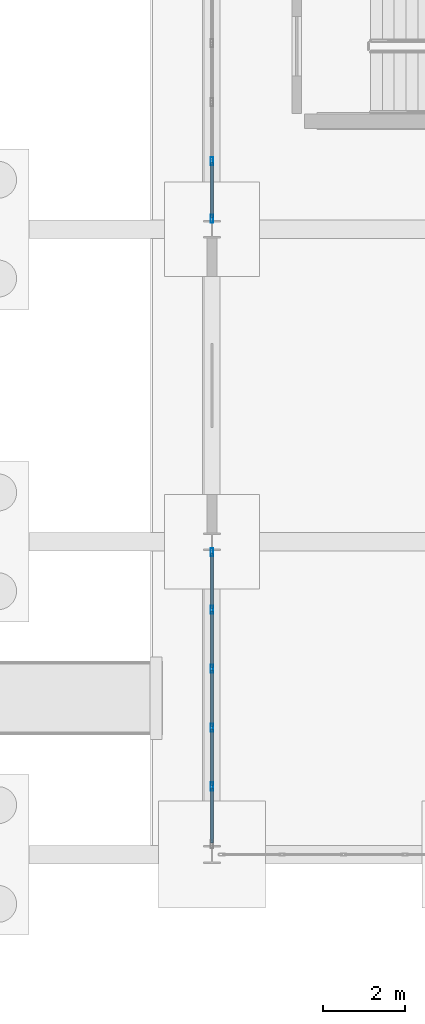
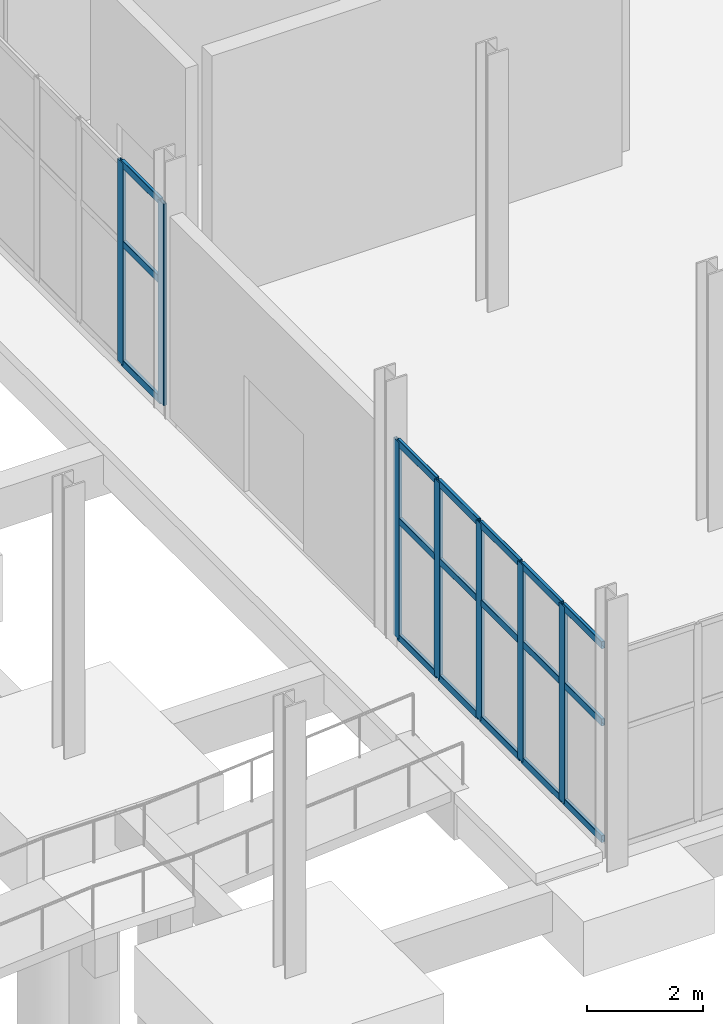
# One storey, part 31 of 95: 25 members, 2 elements without a shape of their own.
"""IFC4 building model written with IfcOpenShell, lengths in metres."""

from ifc_helpers import new_model, si_unit, direction, frame, origin, origin_2d, place, context, subcontext, project, spatial, hollow_rectangle, extrude, material, material_profile, profile_set, type_object, element, aggregate, save


model = new_model("IFC4")

# Units and contexts
model_context = context("Model", 3, precision=1e-05, world=origin(), true_north=direction((0.0, 1.0)))
body_context = subcontext(model_context, "Body", "Model", "MODEL_VIEW")
ifc_project = project(units=[si_unit("LENGTHUNIT", "METRE"), si_unit("AREAUNIT", "SQUARE_METRE"), si_unit("VOLUMEUNIT", "CUBIC_METRE"), si_unit("PLANEANGLEUNIT", "RADIAN"), si_unit("MASSUNIT", "GRAM", prefix="KILO")], contexts=[model_context])

# Site, building, storey
site_placement = place(None, origin())
site = spatial("IfcSite", under=ifc_project, at=site_placement, CompositionType="ELEMENT")
building_placement = place(site_placement, origin())
building = spatial("IfcBuilding", under=site, at=building_placement, Name="Shengluoqiao Park Theatre", CompositionType="ELEMENT")
storey_placement = place(building_placement, origin())
storey = spatial("IfcBuildingStorey", under=building, at=storey_placement, Name="L00", CompositionType="ELEMENT", Elevation=0.0)

# Curtain wall, members
ifc_material = material(Name="Aluminium 6063-T6", Category="aluminium")
curtain_wall_type = type_object("IfcCurtainWallType", Name="ENV-CW-STUDIO", PredefinedType="NOTDEFINED", material=ifc_material)
curtain_wall_1_placement = place(storey_placement, origin())
curtain_wall_1 = element("IfcCurtainWall", 1, at=curtain_wall_1_placement, inside=storey, type_object=curtain_wall_type, Name="L00 Curtain Wall CW-L00-0009", PredefinedType="NOTDEFINED")
ifc_material_profile_1 = material_profile(ifc_material, hollow_rectangle(XDim=0.06494140625, YDim=0.199951171875, WallThickness=0.0048828125, InnerFilletRadius=0.0048828125, OuterFilletRadius=0.010009765625, at=origin_2d()), Name="ALU MULLION 200x65x5")
ifc_profile_set_1 = profile_set([ifc_material_profile_1], Name="Aluminium 6063-T6")
member_type_1 = type_object("IfcMemberType", Name="ENV-MUL-200", PredefinedType="MULLION", material=ifc_profile_set_1)
member_1_placement = place(storey_placement, frame((12.800048828125, 32.05078125, 0.0), z_axis=(0.0, 0.0, 1.0), x_axis=(-1.0, 0.0, 0.0)))
member_1 = element("IfcMember", 2, at=member_1_placement, type_object=member_type_1, Name="CW-02 mullion 2", PredefinedType="MULLION", context=body_context, shape_type="SweptSolid", body=[
    extrude(hollow_rectangle(XDim=0.06494140625, YDim=0.199951171875, WallThickness=0.0048828125, InnerFilletRadius=0.0048828125, OuterFilletRadius=0.010009765625, at=origin_2d()), origin(), (0.0, 0.0, 1.0), 4.137939453125),
])
member_2_placement = place(storey_placement, frame((12.800048828125, 33.483642578125, 0.0), z_axis=(0.0, 0.0, 1.0), x_axis=(-1.0, 0.0, 0.0)))
member_2 = element("IfcMember", 3, at=member_2_placement, type_object=member_type_1, Name="CW-02 mullion 3", PredefinedType="MULLION", context=body_context, shape_type="SweptSolid", body=[
    extrude(hollow_rectangle(XDim=0.06494140625, YDim=0.199951171875, WallThickness=0.0048828125, InnerFilletRadius=0.0048828125, OuterFilletRadius=0.010009765625, at=origin_2d()), origin(), (0.0, 0.0, 1.0), 4.137939453125),
])
member_3_placement = place(storey_placement, frame((12.800048828125, 34.91650390625, 0.0), z_axis=(0.0, 0.0, 1.0), x_axis=(-1.0, 0.0, 0.0)))
member_3 = element("IfcMember", 4, at=member_3_placement, type_object=member_type_1, Name="CW-02 mullion 4", PredefinedType="MULLION", context=body_context, shape_type="SweptSolid", body=[
    extrude(hollow_rectangle(XDim=0.06494140625, YDim=0.199951171875, WallThickness=0.0048828125, InnerFilletRadius=0.0048828125, OuterFilletRadius=0.010009765625, at=origin_2d()), origin(), (0.0, 0.0, 1.0), 4.137939453125),
])
member_4_placement = place(storey_placement, frame((12.800048828125, 36.34912109375, 0.0), z_axis=(0.0, 0.0, 1.0), x_axis=(-1.0, 0.0, 0.0)))
member_4 = element("IfcMember", 5, at=member_4_placement, type_object=member_type_1, Name="CW-02 mullion 5", PredefinedType="MULLION", context=body_context, shape_type="SweptSolid", body=[
    extrude(hollow_rectangle(XDim=0.06494140625, YDim=0.199951171875, WallThickness=0.0048828125, InnerFilletRadius=0.0048828125, OuterFilletRadius=0.010009765625, at=origin_2d()), origin(), (0.0, 0.0, 1.0), 4.137939453125),
])
member_5_placement = place(storey_placement, frame((12.800048828125, 37.74951171875, 0.0), z_axis=(0.0, 0.0, 1.0), x_axis=(-1.0, 0.0, 0.0)))
member_5 = element("IfcMember", 6, at=member_5_placement, type_object=member_type_1, Name="CW-02 mullion 6", PredefinedType="MULLION", context=body_context, shape_type="SweptSolid", body=[
    extrude(hollow_rectangle(XDim=0.06494140625, YDim=0.199951171875, WallThickness=0.0048828125, InnerFilletRadius=0.0048828125, OuterFilletRadius=0.010009765625, at=origin_2d()), origin(), (0.0, 0.0, 1.0), 4.137939453125),
])

curtain_wall_2_placement = place(storey_placement, origin())
curtain_wall_2 = element("IfcCurtainWall", 7, at=curtain_wall_2_placement, inside=storey, type_object=curtain_wall_type, Name="L00 Curtain Wall CW-L00-0010", PredefinedType="NOTDEFINED")
member_6_placement = place(storey_placement, frame((12.800048828125, 45.8505859375, 0.0), z_axis=(0.0, 0.0, 1.0), x_axis=(-1.0, 0.0, 0.0)))
member_6 = element("IfcMember", 8, at=member_6_placement, type_object=member_type_1, Name="CW-02 mullion 1", PredefinedType="MULLION", context=body_context, shape_type="SweptSolid", body=[
    extrude(hollow_rectangle(XDim=0.06494140625, YDim=0.199951171875, WallThickness=0.0048828125, InnerFilletRadius=0.0048828125, OuterFilletRadius=0.010009765625, at=origin_2d()), origin(), (0.0, 0.0, 1.0), 4.238037109375),
])
member_7_placement = place(storey_placement, frame((12.800048828125, 47.250732421875, 0.0), z_axis=(0.0, 0.0, 1.0), x_axis=(-1.0, 0.0, 0.0)))
member_7 = element("IfcMember", 9, at=member_7_placement, type_object=member_type_1, Name="CW-02 mullion 2", PredefinedType="MULLION", context=body_context, shape_type="SweptSolid", body=[
    extrude(hollow_rectangle(XDim=0.06494140625, YDim=0.199951171875, WallThickness=0.0048828125, InnerFilletRadius=0.0048828125, OuterFilletRadius=0.010009765625, at=origin_2d()), origin(), (0.0, 0.0, 1.0), 4.238037109375),
])

# Member
ifc_material_profile_2 = material_profile(ifc_material, hollow_rectangle(XDim=0.06494140625, YDim=0.14990234375, WallThickness=0.00390625, InnerFilletRadius=0.00390625, OuterFilletRadius=0.008056640625, at=origin_2d()), Name="ALU TRANSOM 150x65x4")
ifc_profile_set_2 = profile_set([ifc_material_profile_2], Name="Aluminium 6063-T6")
member_type_2 = type_object("IfcMemberType", Name="ENV-TRN-150", PredefinedType="USERDEFINED", material=ifc_profile_set_2)
member_8_placement = place(storey_placement, frame((12.800048828125, 30.68310546875, 0.032470703125), z_axis=(0.0, 1.0, 0.0), x_axis=(-1.0, 0.0, 0.0)))
member_8 = element("IfcMember", 10, at=member_8_placement, type_object=member_type_2, Name="CW-02 transom 1.1", ObjectType="TRANSOM", PredefinedType="USERDEFINED", context=body_context, shape_type="SweptSolid", body=[
    extrude(hollow_rectangle(XDim=0.06494140625, YDim=0.14990234375, WallThickness=0.00390625, InnerFilletRadius=0.00390625, OuterFilletRadius=0.008056640625, at=origin_2d()), origin(), (0.0, 0.0, 1.0), 1.335205078125),
])

member_9_placement = place(storey_placement, frame((12.800048828125, 30.68310546875, 2.48291015625), z_axis=(0.0, 1.0, 0.0), x_axis=(-1.0, 0.0, 0.0)))
member_9 = element("IfcMember", 11, at=member_9_placement, type_object=member_type_2, Name="CW-02 transom 1.2", ObjectType="TRANSOM", PredefinedType="USERDEFINED", context=body_context, shape_type="SweptSolid", body=[
    extrude(hollow_rectangle(XDim=0.06494140625, YDim=0.14990234375, WallThickness=0.00390625, InnerFilletRadius=0.00390625, OuterFilletRadius=0.008056640625, at=origin_2d()), origin(), (0.0, 0.0, 1.0), 1.335205078125),
])

member_10_placement = place(storey_placement, frame((12.800048828125, 30.68310546875, 4.10546875), z_axis=(0.0, 1.0, 0.0), x_axis=(-1.0, 0.0, 0.0)))
member_10 = element("IfcMember", 12, at=member_10_placement, type_object=member_type_2, Name="CW-02 transom 1.3", ObjectType="TRANSOM", PredefinedType="USERDEFINED", context=body_context, shape_type="SweptSolid", body=[
    extrude(hollow_rectangle(XDim=0.06494140625, YDim=0.14990234375, WallThickness=0.00390625, InnerFilletRadius=0.00390625, OuterFilletRadius=0.008056640625, at=origin_2d()), origin(), (0.0, 0.0, 1.0), 1.335205078125),
])

member_11_placement = place(storey_placement, frame((12.800048828125, 32.083251953125, 0.032470703125), z_axis=(0.0, 1.0, 0.0), x_axis=(-1.0, 0.0, 0.0)))
member_11 = element("IfcMember", 13, at=member_11_placement, type_object=member_type_2, Name="CW-02 transom 2.1", ObjectType="TRANSOM", PredefinedType="USERDEFINED", context=body_context, shape_type="SweptSolid", body=[
    extrude(hollow_rectangle(XDim=0.06494140625, YDim=0.14990234375, WallThickness=0.00390625, InnerFilletRadius=0.00390625, OuterFilletRadius=0.008056640625, at=origin_2d()), origin(), (0.0, 0.0, 1.0), 1.367919921875),
])

member_12_placement = place(storey_placement, frame((12.800048828125, 32.083251953125, 2.48291015625), z_axis=(0.0, 1.0, 0.0), x_axis=(-1.0, 0.0, 0.0)))
member_12 = element("IfcMember", 14, at=member_12_placement, type_object=member_type_2, Name="CW-02 transom 2.2", ObjectType="TRANSOM", PredefinedType="USERDEFINED", context=body_context, shape_type="SweptSolid", body=[
    extrude(hollow_rectangle(XDim=0.06494140625, YDim=0.14990234375, WallThickness=0.00390625, InnerFilletRadius=0.00390625, OuterFilletRadius=0.008056640625, at=origin_2d()), origin(), (0.0, 0.0, 1.0), 1.367919921875),
])

member_13_placement = place(storey_placement, frame((12.800048828125, 32.083251953125, 4.10546875), z_axis=(0.0, 1.0, 0.0), x_axis=(-1.0, 0.0, 0.0)))
member_13 = element("IfcMember", 15, at=member_13_placement, type_object=member_type_2, Name="CW-02 transom 2.3", ObjectType="TRANSOM", PredefinedType="USERDEFINED", context=body_context, shape_type="SweptSolid", body=[
    extrude(hollow_rectangle(XDim=0.06494140625, YDim=0.14990234375, WallThickness=0.00390625, InnerFilletRadius=0.00390625, OuterFilletRadius=0.008056640625, at=origin_2d()), origin(), (0.0, 0.0, 1.0), 1.367919921875),
])

member_14_placement = place(storey_placement, frame((12.800048828125, 33.51611328125, 0.032470703125), z_axis=(0.0, 1.0, 0.0), x_axis=(-1.0, 0.0, 0.0)))
member_14 = element("IfcMember", 16, at=member_14_placement, type_object=member_type_2, Name="CW-02 transom 3.1", ObjectType="TRANSOM", PredefinedType="USERDEFINED", context=body_context, shape_type="SweptSolid", body=[
    extrude(hollow_rectangle(XDim=0.06494140625, YDim=0.14990234375, WallThickness=0.00390625, InnerFilletRadius=0.00390625, OuterFilletRadius=0.008056640625, at=origin_2d()), origin(), (0.0, 0.0, 1.0), 1.36767578125),
])

member_15_placement = place(storey_placement, frame((12.800048828125, 33.51611328125, 2.48291015625), z_axis=(0.0, 1.0, 0.0), x_axis=(-1.0, 0.0, 0.0)))
member_15 = element("IfcMember", 17, at=member_15_placement, type_object=member_type_2, Name="CW-02 transom 3.2", ObjectType="TRANSOM", PredefinedType="USERDEFINED", context=body_context, shape_type="SweptSolid", body=[
    extrude(hollow_rectangle(XDim=0.06494140625, YDim=0.14990234375, WallThickness=0.00390625, InnerFilletRadius=0.00390625, OuterFilletRadius=0.008056640625, at=origin_2d()), origin(), (0.0, 0.0, 1.0), 1.36767578125),
])

member_16_placement = place(storey_placement, frame((12.800048828125, 33.51611328125, 4.10546875), z_axis=(0.0, 1.0, 0.0), x_axis=(-1.0, 0.0, 0.0)))
member_16 = element("IfcMember", 18, at=member_16_placement, type_object=member_type_2, Name="CW-02 transom 3.3", ObjectType="TRANSOM", PredefinedType="USERDEFINED", context=body_context, shape_type="SweptSolid", body=[
    extrude(hollow_rectangle(XDim=0.06494140625, YDim=0.14990234375, WallThickness=0.00390625, InnerFilletRadius=0.00390625, OuterFilletRadius=0.008056640625, at=origin_2d()), origin(), (0.0, 0.0, 1.0), 1.36767578125),
])

member_17_placement = place(storey_placement, frame((12.800048828125, 34.948974609375, 0.032470703125), z_axis=(0.0, 1.0, 0.0), x_axis=(-1.0, 0.0, 0.0)))
member_17 = element("IfcMember", 19, at=member_17_placement, type_object=member_type_2, Name="CW-02 transom 4.1", ObjectType="TRANSOM", PredefinedType="USERDEFINED", context=body_context, shape_type="SweptSolid", body=[
    extrude(hollow_rectangle(XDim=0.06494140625, YDim=0.14990234375, WallThickness=0.00390625, InnerFilletRadius=0.00390625, OuterFilletRadius=0.008056640625, at=origin_2d()), origin(), (0.0, 0.0, 1.0), 1.36767578125),
])

member_18_placement = place(storey_placement, frame((12.800048828125, 34.948974609375, 2.48291015625), z_axis=(0.0, 1.0, 0.0), x_axis=(-1.0, 0.0, 0.0)))
member_18 = element("IfcMember", 20, at=member_18_placement, type_object=member_type_2, Name="CW-02 transom 4.2", ObjectType="TRANSOM", PredefinedType="USERDEFINED", context=body_context, shape_type="SweptSolid", body=[
    extrude(hollow_rectangle(XDim=0.06494140625, YDim=0.14990234375, WallThickness=0.00390625, InnerFilletRadius=0.00390625, OuterFilletRadius=0.008056640625, at=origin_2d()), origin(), (0.0, 0.0, 1.0), 1.36767578125),
])

member_19_placement = place(storey_placement, frame((12.800048828125, 34.948974609375, 4.10546875), z_axis=(0.0, 1.0, 0.0), x_axis=(-1.0, 0.0, 0.0)))
member_19 = element("IfcMember", 21, at=member_19_placement, type_object=member_type_2, Name="CW-02 transom 4.3", ObjectType="TRANSOM", PredefinedType="USERDEFINED", context=body_context, shape_type="SweptSolid", body=[
    extrude(hollow_rectangle(XDim=0.06494140625, YDim=0.14990234375, WallThickness=0.00390625, InnerFilletRadius=0.00390625, OuterFilletRadius=0.008056640625, at=origin_2d()), origin(), (0.0, 0.0, 1.0), 1.36767578125),
])

member_20_placement = place(storey_placement, frame((12.800048828125, 36.381591796875, 0.032470703125), z_axis=(0.0, 1.0, 0.0), x_axis=(-1.0, 0.0, 0.0)))
member_20 = element("IfcMember", 22, at=member_20_placement, type_object=member_type_2, Name="CW-02 transom 5.1", ObjectType="TRANSOM", PredefinedType="USERDEFINED", context=body_context, shape_type="SweptSolid", body=[
    extrude(hollow_rectangle(XDim=0.06494140625, YDim=0.14990234375, WallThickness=0.00390625, InnerFilletRadius=0.00390625, OuterFilletRadius=0.008056640625, at=origin_2d()), origin(), (0.0, 0.0, 1.0), 1.33544921875),
])

member_21_placement = place(storey_placement, frame((12.800048828125, 36.381591796875, 2.48291015625), z_axis=(0.0, 1.0, 0.0), x_axis=(-1.0, 0.0, 0.0)))
member_21 = element("IfcMember", 23, at=member_21_placement, type_object=member_type_2, Name="CW-02 transom 5.2", ObjectType="TRANSOM", PredefinedType="USERDEFINED", context=body_context, shape_type="SweptSolid", body=[
    extrude(hollow_rectangle(XDim=0.06494140625, YDim=0.14990234375, WallThickness=0.00390625, InnerFilletRadius=0.00390625, OuterFilletRadius=0.008056640625, at=origin_2d()), origin(), (0.0, 0.0, 1.0), 1.33544921875),
])

member_22_placement = place(storey_placement, frame((12.800048828125, 36.381591796875, 4.10546875), z_axis=(0.0, 1.0, 0.0), x_axis=(-1.0, 0.0, 0.0)))
member_22 = element("IfcMember", 24, at=member_22_placement, type_object=member_type_2, Name="CW-02 transom 5.3", ObjectType="TRANSOM", PredefinedType="USERDEFINED", context=body_context, shape_type="SweptSolid", body=[
    extrude(hollow_rectangle(XDim=0.06494140625, YDim=0.14990234375, WallThickness=0.00390625, InnerFilletRadius=0.00390625, OuterFilletRadius=0.008056640625, at=origin_2d()), origin(), (0.0, 0.0, 1.0), 1.33544921875),
])

aggregate(curtain_wall_1, [member_1, member_2, member_3, member_4, member_5, member_8, member_9, member_10, member_11, member_12, member_13, member_14, member_15, member_16, member_17, member_18, member_19, member_20, member_21, member_22])

member_23_placement = place(storey_placement, frame((12.800048828125, 45.883056640625, 0.032470703125), z_axis=(0.0, 1.0, 0.0), x_axis=(-1.0, 0.0, 0.0)))
member_23 = element("IfcMember", 25, at=member_23_placement, type_object=member_type_2, Name="CW-02 transom 1.1", ObjectType="TRANSOM", PredefinedType="USERDEFINED", context=body_context, shape_type="SweptSolid", body=[
    extrude(hollow_rectangle(XDim=0.06494140625, YDim=0.14990234375, WallThickness=0.00390625, InnerFilletRadius=0.00390625, OuterFilletRadius=0.008056640625, at=origin_2d()), origin(), (0.0, 0.0, 1.0), 1.335205078125),
])

member_24_placement = place(storey_placement, frame((12.800048828125, 45.883056640625, 2.54296875), z_axis=(0.0, 1.0, 0.0), x_axis=(-1.0, 0.0, 0.0)))
member_24 = element("IfcMember", 26, at=member_24_placement, type_object=member_type_2, Name="CW-02 transom 1.2", ObjectType="TRANSOM", PredefinedType="USERDEFINED", context=body_context, shape_type="SweptSolid", body=[
    extrude(hollow_rectangle(XDim=0.06494140625, YDim=0.14990234375, WallThickness=0.00390625, InnerFilletRadius=0.00390625, OuterFilletRadius=0.008056640625, at=origin_2d()), origin(), (0.0, 0.0, 1.0), 1.335205078125),
])

member_25_placement = place(storey_placement, frame((12.800048828125, 45.883056640625, 4.20556640625), z_axis=(0.0, 1.0, 0.0), x_axis=(-1.0, 0.0, 0.0)))
member_25 = element("IfcMember", 27, at=member_25_placement, type_object=member_type_2, Name="CW-02 transom 1.3", ObjectType="TRANSOM", PredefinedType="USERDEFINED", context=body_context, shape_type="SweptSolid", body=[
    extrude(hollow_rectangle(XDim=0.06494140625, YDim=0.14990234375, WallThickness=0.00390625, InnerFilletRadius=0.00390625, OuterFilletRadius=0.008056640625, at=origin_2d()), origin(), (0.0, 0.0, 1.0), 1.335205078125),
])

aggregate(curtain_wall_2, [member_6, member_7, member_23, member_24, member_25])

save(model, "model.ifc")
